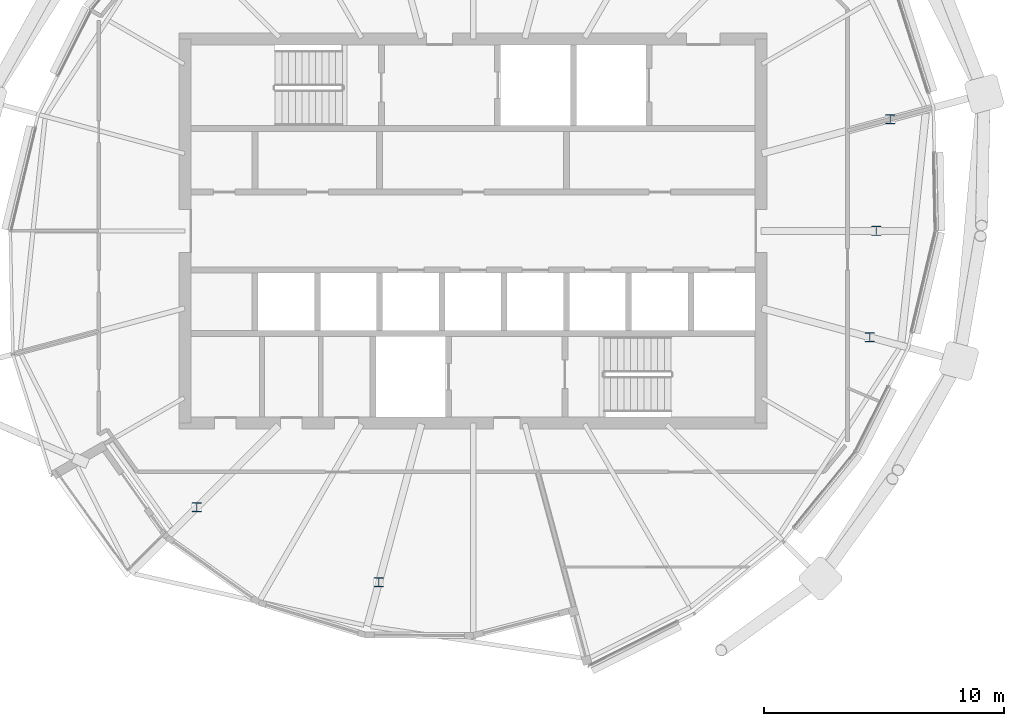
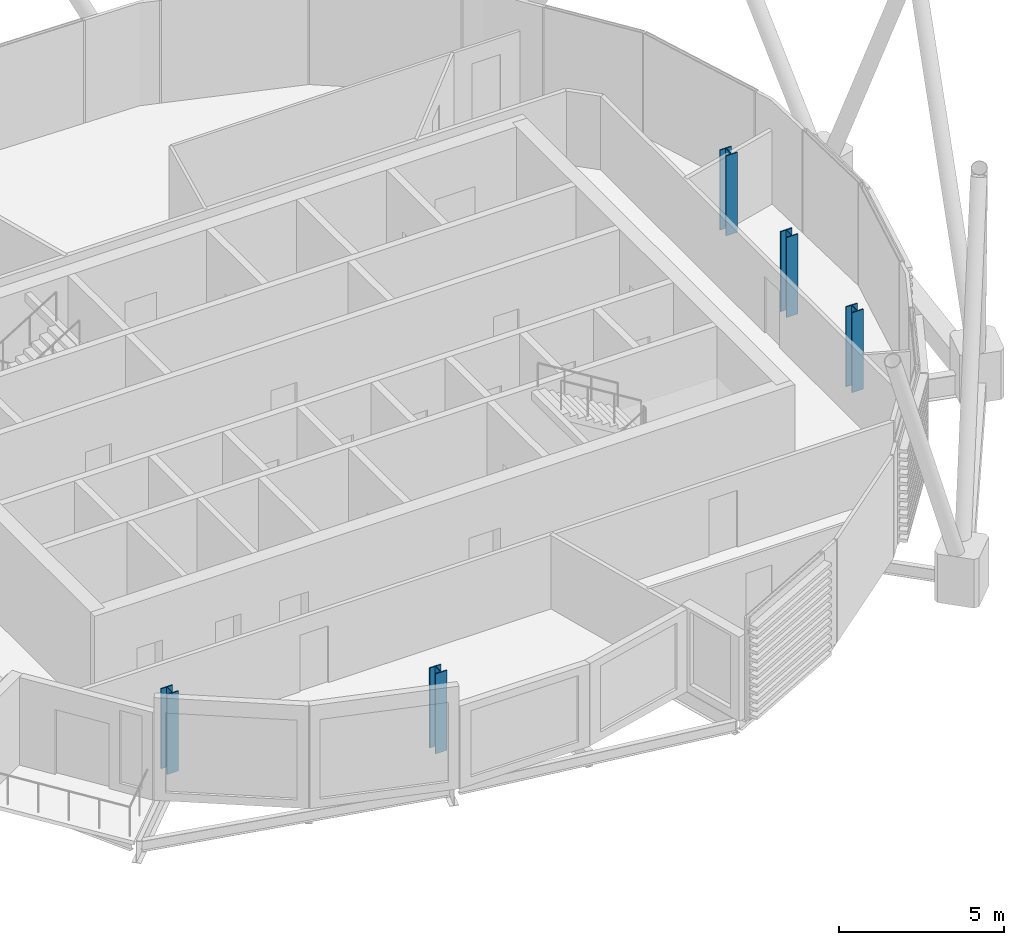
# One storey, part 2 of 32: 5 columns.
"""IFC4 building model written with IfcOpenShell, lengths in metres."""

from ifc_helpers import new_model, si_unit, direction, frame, origin, origin_2d, place, context, subcontext, project, spatial, i_section, extrude, material, material_profile, profile_set, type_object, element, save


model = new_model("IFC4")

# Units and contexts
model_context = context("Model", 3, precision=1e-05, world=origin(), true_north=direction((0.0, 1.0)))
body_context = subcontext(model_context, "Body", "Model", "MODEL_VIEW")
ifc_project = project(units=[si_unit("LENGTHUNIT", "METRE"), si_unit("AREAUNIT", "SQUARE_METRE"), si_unit("VOLUMEUNIT", "CUBIC_METRE"), si_unit("PLANEANGLEUNIT", "RADIAN"), si_unit("MASSUNIT", "GRAM", prefix="KILO")], contexts=[model_context])

# Site, building, storey
site_placement = place(None, origin())
site = spatial("IfcSite", under=ifc_project, at=site_placement, CompositionType="ELEMENT")
building_placement = place(site_placement, origin())
building = spatial("IfcBuilding", under=site, at=building_placement, Name="Rimbun Link Towers", CompositionType="ELEMENT")
storey_placement = place(building_placement, frame((0.0, 0.0, 233.300048828125)))
storey = spatial("IfcBuildingStorey", under=building, at=storey_placement, Name="L57", CompositionType="ELEMENT", Elevation=233.300048828125)

# Columns
ifc_material = material(Name="Steel S355J2", Category="steel")
ifc_material_profile = material_profile(ifc_material, i_section(OverallWidth=0.39892578125, OverallDepth=0.3935546875, WebThickness=0.022705078125, FlangeThickness=0.03662109375, at=origin_2d()), Name="UC 356x406x287")
ifc_profile_set = profile_set([ifc_material_profile], Name="Steel S355J2")
column_type = type_object("IfcColumnType", Name="UC 356x406x287", PredefinedType="COLUMN", material=ifc_profile_set)
for number, where, z_axis, x_axis, name in (
    (1, (20.231689453125, -11.518310546875, -0.14013671875), (0.0, 0.0, 1.0), (1.0, 0.0, 0.0), "Crease post T2 L57 12"),
    (2, (27.825927734375, -14.64501953125, -0.14013671875), (0.0, 0.0, 1.0), (1.0, 0.0, 0.0), "Crease post T2 L57 14"),
    (3, (48.2890625, -4.431640625, -0.14013671875), (0.0, 0.0, 1.0), (1.0, 0.0, 0.0), "Crease post T2 L57 20"),
    (4, (48.560302734375, 0.0, -0.14013671875), (0.0, 0.0, 1.0), (1.0, 0.0, 0.0), "Crease post T2 L57 21"),
    (5, (49.127685546875, 4.656494140625, -0.14013671875), (0.0, 0.0, 1.0), (1.0, 0.0, 0.0), "Crease post T2 L57 22"),
):
    element("IfcColumn", number, at=place(storey_placement, frame(where, z_axis=z_axis, x_axis=x_axis)), inside=storey, type_object=column_type, Name=name, PredefinedType="COLUMN", context=body_context, shape_type="SweptSolid", body=[
        extrude(i_section(OverallWidth=0.39892578125, OverallDepth=0.3935546875, WebThickness=0.022705078125, FlangeThickness=0.03662109375, at=origin_2d()), origin(), (0.0, 0.0, 1.0), 2.95947265625),
    ])

save(model, "model.ifc")
